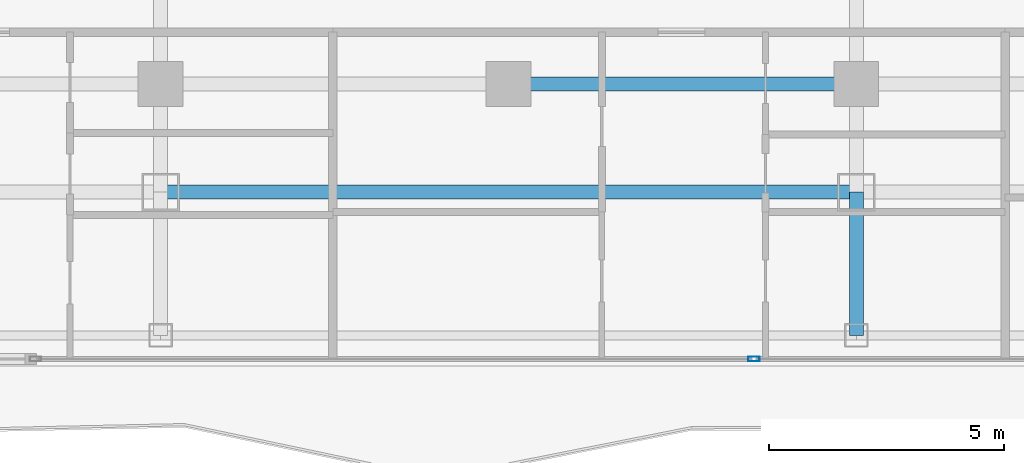
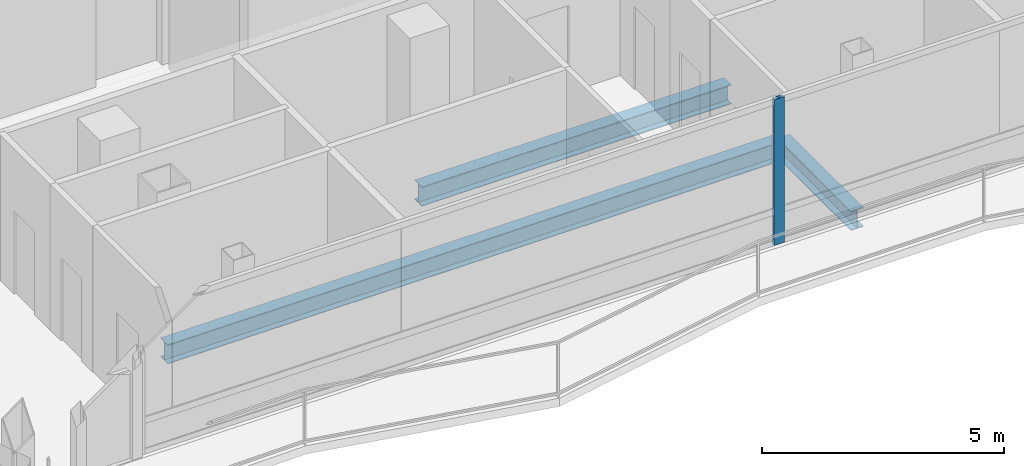
# One storey, part 4 of 24: 3 beams, 1 member, 1 element without a shape of its own.
"""IFC4 building model written with IfcOpenShell, lengths in metres."""

from ifc_helpers import new_model, si_unit, direction, frame, origin, origin_2d, place, context, subcontext, project, spatial, hollow_rectangle, i_section, extrude, material, layer, layer_set, material_profile, profile_set, type_object, element, aggregate, save


model = new_model("IFC4")

# Units and contexts
model_context = context("Model", 3, precision=1e-05, world=origin(), true_north=direction((0.0, 1.0)))
body_context = subcontext(model_context, "Body", "Model", "MODEL_VIEW")
ifc_project = project(units=[si_unit("LENGTHUNIT", "METRE"), si_unit("AREAUNIT", "SQUARE_METRE"), si_unit("VOLUMEUNIT", "CUBIC_METRE"), si_unit("PLANEANGLEUNIT", "RADIAN"), si_unit("MASSUNIT", "GRAM", prefix="KILO")], contexts=[model_context])

# Site, building, storey
site_placement = place(None, origin())
site = spatial("IfcSite", under=ifc_project, at=site_placement, CompositionType="ELEMENT")
building_placement = place(site_placement, origin())
building = spatial("IfcBuilding", under=site, at=building_placement, Name="Khorvyn Point Tower", CompositionType="ELEMENT")
storey_placement = place(building_placement, frame((0.0, 0.0, 266.39990234375)))
storey = spatial("IfcBuildingStorey", under=building, at=storey_placement, Name="L65", CompositionType="ELEMENT", Elevation=266.39990234375)

# Curtain wall, member
ifc_material_1 = material(Name="Anodised aluminium 6063-T6 and laminated Low-E glass", Category="aluminium")
ifc_layer = layer(ifc_material_1, 0.18994140625)
ifc_layer_set = layer_set([ifc_layer], Name="Stick-Built High-Wind Curtain Wall CW-SYS-04")
curtain_wall_type = type_object("IfcCurtainWallType", Name="Stick-Built High-Wind Curtain Wall CW-SYS-04", PredefinedType="NOTDEFINED", material=ifc_layer_set)
curtain_wall_placement = place(storey_placement, origin())
curtain_wall = element("IfcCurtainWall", 1, at=curtain_wall_placement, inside=storey, type_object=curtain_wall_type, Name="Curtain Wall", PredefinedType="NOTDEFINED")
ifc_material_2 = material(Name="Anodised aluminium 6063-T6", Category="aluminium")
ifc_material_profile_1 = material_profile(ifc_material_2, hollow_rectangle(XDim=0.10009765625, YDim=0.239990234375, WallThickness=0.0048828125, at=origin_2d()))
ifc_profile_set_1 = profile_set([ifc_material_profile_1], Name="Anodised aluminium 6063-T6 ALU-MUL-100x240")
member_type = type_object("IfcMemberType", Name="Anodised Aluminium 6063-T6 Mullion ALU-MUL-100x240", PredefinedType="MULLION", material=ifc_profile_set_1)
member_placement = place(storey_placement, frame((5.220458984375, -20.64990234375, 0.0), z_axis=(0.0, 0.0, 1.0), x_axis=(0.0, -1.0, 0.0)))
member = element("IfcMember", 2, at=member_placement, type_object=member_type, Name="Transom", PredefinedType="MULLION", context=body_context, shape_type="SweptSolid", body=[
    extrude(hollow_rectangle(XDim=0.10009765625, YDim=0.239990234375, WallThickness=0.0048828125, at=origin_2d()), origin(), (0.0, 0.0, 1.0), 3.68017578125),
])
aggregate(curtain_wall, [member])

# Beams
ifc_material_3 = material(Name="Steel S355", Category="steel")
ifc_material_profile_2 = material_profile(ifc_material_3, i_section(OverallWidth=0.300048828125, OverallDepth=0.488037109375, WebThickness=0.010986328125, FlangeThickness=0.01806640625, at=origin_2d()))
ifc_profile_set_2 = profile_set([ifc_material_profile_2], Name="Steel S355 H488x300x11x18")
beam_type = type_object("IfcBeamType", Name="Steel S355 Spandrel H488x300x11x18", PredefinedType="SPANDREL", material=ifc_profile_set_2)
beam_1_placement = place(storey_placement, frame((0.0, -14.800048828125, -0.4638671875), z_axis=(1.0, 0.0, 0.0), x_axis=(0.0, 1.0, 0.0)))
element("IfcBeam", 3, at=beam_1_placement, inside=storey, type_object=beam_type, Name="Beam", PredefinedType="SPANDREL", context=body_context, shape_type="SweptSolid", body=[
    extrude(i_section(OverallWidth=0.300048828125, OverallDepth=0.488037109375, WebThickness=0.010986328125, FlangeThickness=0.01806640625, at=origin_2d()), origin(), (0.0, 0.0, 1.0), 7.39990234375),
])
beam_2_placement = place(storey_placement, frame((-7.39990234375, -17.10009765625, -0.4638671875), z_axis=(1.0, 0.0, 0.0), x_axis=(0.0, 1.0, 0.0)))
element("IfcBeam", 4, at=beam_2_placement, inside=storey, type_object=beam_type, Name="Beam", PredefinedType="SPANDREL", context=body_context, shape_type="SweptSolid", body=[
    extrude(i_section(OverallWidth=0.300048828125, OverallDepth=0.488037109375, WebThickness=0.010986328125, FlangeThickness=0.01806640625, at=origin_2d()), origin(), (0.0, 0.0, 1.0), 14.7998046875),
])
beam_3_placement = place(storey_placement, frame((7.39990234375, -20.14990234375, -0.4638671875), z_axis=(0.0, 1.0, 0.0), x_axis=(-1.0, 0.0, 0.0)))
element("IfcBeam", 5, at=beam_3_placement, inside=storey, type_object=beam_type, Name="Beam", PredefinedType="SPANDREL", context=body_context, shape_type="SweptSolid", body=[
    extrude(i_section(OverallWidth=0.300048828125, OverallDepth=0.488037109375, WebThickness=0.010986328125, FlangeThickness=0.01806640625, at=origin_2d()), origin(), (0.0, 0.0, 1.0), 3.0498046875),
])

save(model, "model.ifc")
